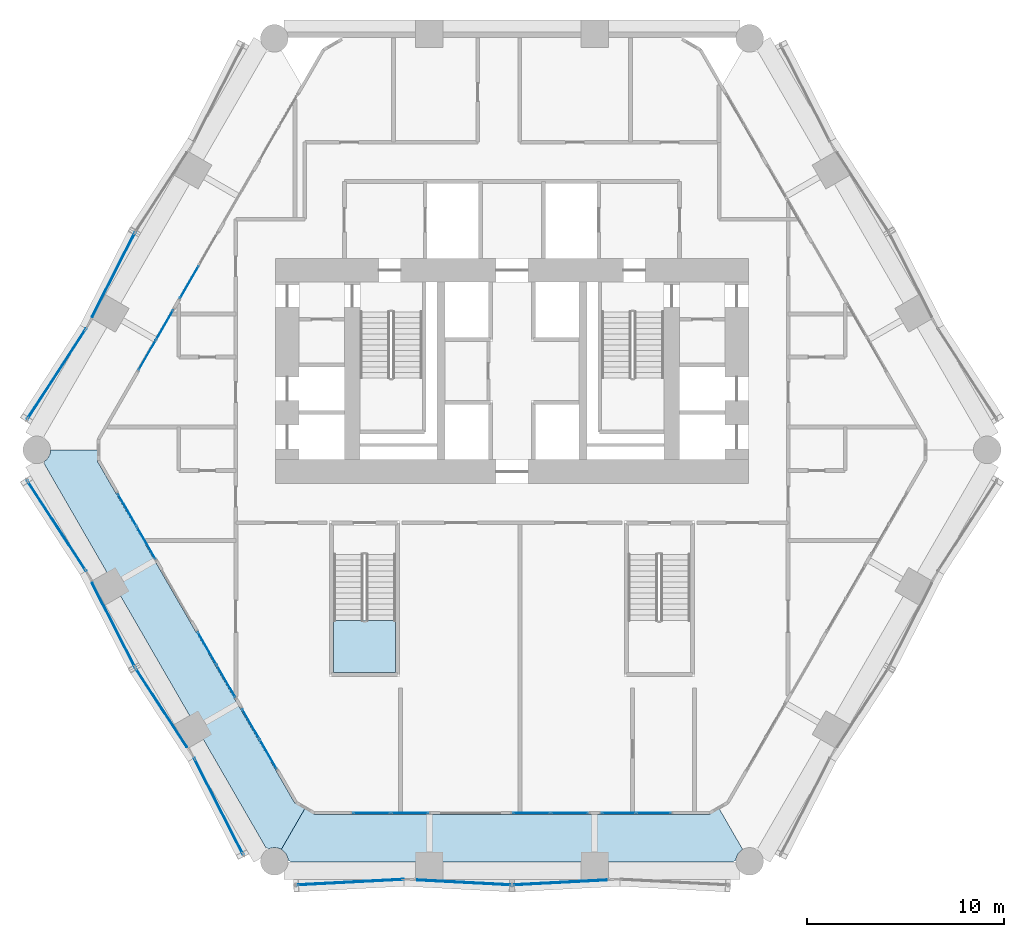
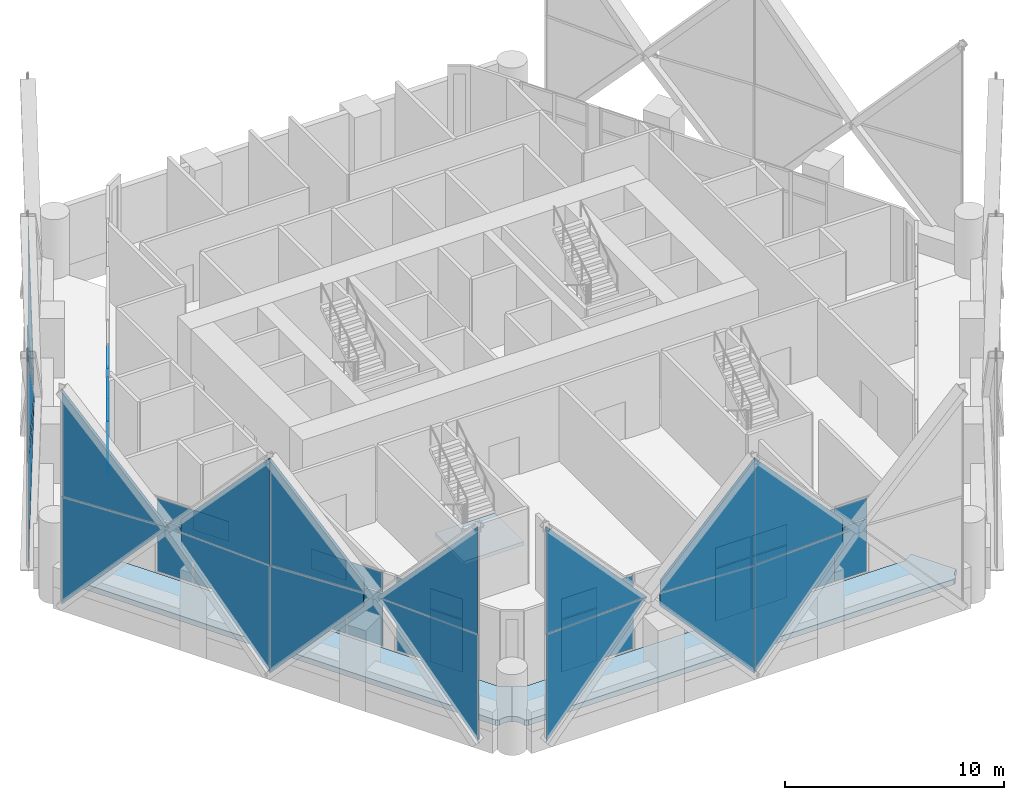
# One storey, part 34 of 46: 48 plates, 3 slabs, 21 elements without a shape of their own.
"""IFC4 building model written with IfcOpenShell, lengths in metres."""

from ifc_helpers import new_model, si_unit, direction, frame, origin, origin_2d, place, context, subcontext, project, spatial, polyline, rectangle, outline, extrude, material, layer, layer_set, type_object, element, aggregate, save


model = new_model("IFC4")

# Units and contexts
model_context = context("Model", 3, precision=1e-05, world=origin(), true_north=direction((0.0, 1.0)))
body_context = subcontext(model_context, "Body", "Model", "MODEL_VIEW")
ifc_project = project(units=[si_unit("LENGTHUNIT", "METRE"), si_unit("AREAUNIT", "SQUARE_METRE"), si_unit("VOLUMEUNIT", "CUBIC_METRE"), si_unit("PLANEANGLEUNIT", "RADIAN"), si_unit("MASSUNIT", "GRAM", prefix="KILO")], contexts=[model_context])

# Site, building, storey
site_placement = place(None, origin())
site = spatial("IfcSite", under=ifc_project, at=site_placement, CompositionType="ELEMENT")
building_placement = place(site_placement, origin())
building = spatial("IfcBuilding", under=site, at=building_placement, Name="Ostrander Bayou Hotel Tower", CompositionType="ELEMENT")
storey_placement = place(building_placement, frame((0.0, 0.0, 23.5)))
storey = spatial("IfcBuildingStorey", under=building, at=storey_placement, Name="L05", CompositionType="ELEMENT", Elevation=23.5)

# Curtain wall, plate
ifc_material_1 = material(Name="Aluminium and clear glass", Category="aluminium")
curtain_wall_type_1 = type_object("IfcCurtainWallType", Name="CW-LAT lattice glazing", PredefinedType="NOTDEFINED", material=ifc_material_1)
curtain_wall_1_placement = place(storey_placement, origin())
curtain_wall_1 = element("IfcCurtainWall", 1, at=curtain_wall_1_placement, inside=storey, type_object=curtain_wall_type_1, Name="CW-LAT L05 NW 3", PredefinedType="NOTDEFINED")
ifc_material_2 = material(Name="Clear laminated glass", Category="glass")
ifc_layer_1 = layer(ifc_material_2, 0.028076171875)
ifc_layer_set_1 = layer_set([ifc_layer_1], Name="CW-LA glazing panel 28 mm")
plate_type_1 = type_object("IfcPlateType", Name="CW-LA glazing panel 28 mm", PredefinedType="CURTAIN_PANEL", material=ifc_layer_set_1)
plate_1_placement = place(storey_placement, frame((-21.298583984375, 6.74609375, 4.667724609375), z_axis=(0.891003109581, -0.453997201222, 0.0), x_axis=(0.306245491879, 0.601029444289, -0.738225782401)))
plate_1 = element("IfcPlate", 2, at=plate_1_placement, type_object=plate_type_1, Name="CW-LAT panel 5", PredefinedType="CURTAIN_PANEL", context=body_context, shape_type="SweptSolid", body=[
    extrude(outline(polyline([(0.0, 0.0), (7.135787439574797, -8.881784197001252e-16), (2.7064327451707584, 4.047322200067707), (-0.5405124808153366, 0.4938931997885358), (0.0, 0.0)])), origin(), (0.0, 0.0, -1.0), 0.028076171875),
])
aggregate(curtain_wall_1, [plate_1])

curtain_wall_2_placement = place(storey_placement, origin())
curtain_wall_2 = element("IfcCurtainWall", 3, at=curtain_wall_2_placement, inside=storey, type_object=curtain_wall_type_1, Name="CW-LAT L05 NW 4", PredefinedType="NOTDEFINED")
plate_2_placement = place(storey_placement, frame((-21.298583984375, 6.74609375, 6.13232421875), z_axis=(-0.891003109581, 0.453997201222, 0.0), x_axis=(0.306253226935, 0.601044624909, 0.738210213869)))
plate_2 = element("IfcPlate", 4, at=plate_2_placement, type_object=plate_type_1, Name="CW-LAT panel 6", PredefinedType="CURTAIN_PANEL", context=body_context, shape_type="SweptSolid", body=[
    extrude(outline(polyline([(0.0, 0.0), (7.135607210571322, 4.440892098500626e-16), (2.706345927358191, 4.047424426104726), (-0.540681308985978, 0.49407036451473707), (0.0, 0.0)])), origin(), (0.0, 0.0, -1.0), 0.028076171875),
])
aggregate(curtain_wall_2, [plate_2])

curtain_wall_3_placement = place(storey_placement, origin())
curtain_wall_3 = element("IfcCurtainWall", 5, at=curtain_wall_3_placement, inside=storey, type_object=curtain_wall_type_1, Name="CW-LAT L05 NW 1", PredefinedType="NOTDEFINED")
plate_3_placement = place(storey_placement, frame((-21.602294921875, 6.14990234375, 5.39990234375), z_axis=(-0.838682608864, 0.544620493178, 0.0), x_axis=(-0.367389353797, -0.565757377056, -0.738202989037)))
plate_3 = element("IfcPlate", 6, at=plate_3_placement, type_object=plate_type_1, Name="CW-LAT panel 7", PredefinedType="CURTAIN_PANEL", context=body_context, shape_type="SweptSolid", body=[
    extrude(outline(polyline([(0.0, 0.0), (8.127845713309846, 0.0), (3.6986277790855517, 4.047471864157414), (0.0, 0.0)])), origin(), (0.0, 0.0, -1.0), 0.028076171875),
])
aggregate(curtain_wall_3, [plate_3])

curtain_wall_4_placement = place(storey_placement, origin())
curtain_wall_4 = element("IfcCurtainWall", 7, at=curtain_wall_4_placement, inside=storey, type_object=curtain_wall_type_1, Name="CW-LAT L05 NW 2", PredefinedType="NOTDEFINED")
plate_4_placement = place(storey_placement, frame((-21.602294921875, 6.14990234375, 5.39990234375), z_axis=(0.838682608864, -0.544620493178, 0.0), x_axis=(-0.367389353797, -0.565757377056, 0.738202989037)))
plate_4 = element("IfcPlate", 8, at=plate_4_placement, type_object=plate_type_1, Name="CW-LAT panel 8", PredefinedType="CURTAIN_PANEL", context=body_context, shape_type="SweptSolid", body=[
    extrude(outline(polyline([(0.0, 0.0), (8.127845713309846, 0.0), (3.6986277790855517, 4.047471864157414), (0.0, 0.0)])), origin(), (0.0, 0.0, -1.0), 0.028076171875),
])
aggregate(curtain_wall_4, [plate_4])

curtain_wall_5_placement = place(storey_placement, origin())
curtain_wall_5 = element("IfcCurtainWall", 9, at=curtain_wall_5_placement, inside=storey, type_object=curtain_wall_type_1, Name="CW-LAT L05 SW 3", PredefinedType="NOTDEFINED")
plate_5_placement = place(storey_placement, frame((-21.602294921875, -6.14990234375, 5.39990234375), z_axis=(0.838682608864, 0.544620493178, 0.0), x_axis=(-0.367389353797, 0.565757377056, -0.738202989037)))
plate_5 = element("IfcPlate", 10, at=plate_5_placement, type_object=plate_type_1, Name="CW-LAT panel 1", PredefinedType="CURTAIN_PANEL", context=body_context, shape_type="SweptSolid", body=[
    extrude(outline(polyline([(0.0, 0.0), (8.127845713309846, 0.0), (3.6986277790855517, 4.047471864157414), (0.0, 0.0)])), origin(), (0.0, 0.0, -1.0), 0.028076171875),
])

curtain_wall_6_placement = place(storey_placement, origin())
curtain_wall_6 = element("IfcCurtainWall", 11, at=curtain_wall_6_placement, inside=storey, type_object=curtain_wall_type_1, Name="CW-LAT L05 SW 4", PredefinedType="NOTDEFINED")
plate_6_placement = place(storey_placement, frame((-21.602294921875, -6.14990234375, 5.39990234375), z_axis=(-0.838682608864, -0.544620493178, 0.0), x_axis=(-0.367389353797, 0.565757377056, 0.738202989037)))
plate_6 = element("IfcPlate", 12, at=plate_6_placement, type_object=plate_type_1, Name="CW-LAT panel 2", PredefinedType="CURTAIN_PANEL", context=body_context, shape_type="SweptSolid", body=[
    extrude(outline(polyline([(0.0, 0.0), (8.127845713309846, 0.0), (3.6986277790855517, 4.047471864157414), (0.0, 0.0)])), origin(), (0.0, 0.0, -1.0), 0.028076171875),
])

curtain_wall_7_placement = place(storey_placement, origin())
curtain_wall_7 = element("IfcCurtainWall", 13, at=curtain_wall_7_placement, inside=storey, type_object=curtain_wall_type_1, Name="CW-LAT L05 SW 1", PredefinedType="NOTDEFINED")
plate_7_placement = place(storey_placement, frame((-21.298583984375, -6.74609375, 4.667724609375), z_axis=(-0.891003109581, -0.453997201222, 0.0), x_axis=(0.306245491879, -0.601029444289, -0.738225782401)))
plate_7 = element("IfcPlate", 14, at=plate_7_placement, type_object=plate_type_1, Name="CW-LAT panel 3", PredefinedType="CURTAIN_PANEL", context=body_context, shape_type="SweptSolid", body=[
    extrude(outline(polyline([(0.0, 0.0), (7.135787439574797, -8.881784197001252e-16), (2.7064327451707584, 4.047322200067707), (-0.5405124808153366, 0.4938931997885358), (0.0, 0.0)])), origin(), (0.0, 0.0, -1.0), 0.028076171875),
])

curtain_wall_8_placement = place(storey_placement, origin())
curtain_wall_8 = element("IfcCurtainWall", 15, at=curtain_wall_8_placement, inside=storey, type_object=curtain_wall_type_1, Name="CW-LAT L05 SW 2", PredefinedType="NOTDEFINED")
plate_8_placement = place(storey_placement, frame((-21.298583984375, -6.74609375, 6.13232421875), z_axis=(0.891003109581, 0.453997201222, 0.0), x_axis=(0.306253226935, -0.601044624909, 0.738210213869)))
plate_8 = element("IfcPlate", 16, at=plate_8_placement, type_object=plate_type_1, Name="CW-LAT panel 4", PredefinedType="CURTAIN_PANEL", context=body_context, shape_type="SweptSolid", body=[
    extrude(outline(polyline([(0.0, 0.0), (7.135607210571322, 4.440892098500626e-16), (2.706345927358191, 4.047424426104726), (-0.540681308985978, 0.49407036451473707), (0.0, 0.0)])), origin(), (0.0, 0.0, -1.0), 0.028076171875),
])

# Plate
plate_9_placement = place(storey_placement, frame((-16.4912109375, -15.072509765625, 4.668212890625), z_axis=(0.83866831588, 0.544642502875, 0.0), x_axis=(-0.367406343741, 0.56575103471, -0.738199394002)))
plate_9 = element("IfcPlate", 17, at=plate_9_placement, type_object=plate_type_1, Name="CW-LAT panel 5", PredefinedType="CURTAIN_PANEL", context=body_context, shape_type="SweptSolid", body=[
    extrude(outline(polyline([(0.0, 0.0), (7.1367039714257245, 4.440892098500626e-16), (2.7075076074163613, 4.047495468687549), (-0.5401327108942082, 0.49358495766831795), (0.0, 0.0)])), origin(), (0.0, 0.0, -1.0), 0.028076171875),
])

aggregate(curtain_wall_5, [plate_5, plate_9])

plate_10_placement = place(storey_placement, frame((-16.4912109375, -15.072509765625, 6.1318359375), z_axis=(-0.83866831588, -0.544642502875, 0.0), x_axis=(-0.367415622055, 0.565765321932, 0.738183826136)))
plate_10 = element("IfcPlate", 18, at=plate_10_placement, type_object=plate_type_1, Name="CW-LAT panel 6", PredefinedType="CURTAIN_PANEL", context=body_context, shape_type="SweptSolid", body=[
    extrude(outline(polyline([(0.0, 0.0), (7.136523748864649, 4.440892098500626e-16), (2.707420792046409, 4.04759768231774), (-0.5403015407121209, 0.4937621196121656), (0.0, 0.0)])), origin(), (0.0, 0.0, -1.0), 0.028076171875),
])

aggregate(curtain_wall_6, [plate_6, plate_10])

plate_11_placement = place(storey_placement, frame((-16.126953125, -15.63330078125, 5.39990234375), z_axis=(-0.891017407703, -0.453969139007, 0.0), x_axis=(0.306235162835, -0.60105596943, -0.738208471)))
plate_11 = element("IfcPlate", 19, at=plate_11_placement, type_object=plate_type_1, Name="CW-LAT panel 7", PredefinedType="CURTAIN_PANEL", context=body_context, shape_type="SweptSolid", body=[
    extrude(outline(polyline([(0.0, 0.0), (8.127785355637263, 0.0), (3.6985345296381307, 4.047435869829935), (0.0, 0.0)])), origin(), (0.0, 0.0, -1.0), 0.028076171875),
])

aggregate(curtain_wall_7, [plate_7, plate_11])

plate_12_placement = place(storey_placement, frame((-16.126953125, -15.63330078125, 5.39990234375), z_axis=(0.891017407703, 0.453969139007, 0.0), x_axis=(0.306235162835, -0.60105596943, 0.738208471)))
plate_12 = element("IfcPlate", 20, at=plate_12_placement, type_object=plate_type_1, Name="CW-LAT panel 8", PredefinedType="CURTAIN_PANEL", context=body_context, shape_type="SweptSolid", body=[
    extrude(outline(polyline([(0.0, 0.0), (8.127785355637263, 0.0), (3.6985345296381307, 4.047435869829935), (0.0, 0.0)])), origin(), (0.0, 0.0, -1.0), 0.028076171875),
])

aggregate(curtain_wall_8, [plate_8, plate_12])

# Curtain wall, plate
curtain_wall_9_placement = place(storey_placement, origin())
curtain_wall_9 = element("IfcCurtainWall", 21, at=curtain_wall_9_placement, inside=storey, type_object=curtain_wall_type_1, Name="CW-LAT L05 S 3", PredefinedType="NOTDEFINED")
plate_13_placement = place(storey_placement, frame((-5.475341796875, -21.783203125, 5.39990234375), z_axis=(-0.052320446705, 0.998630347454, 0.0), x_axis=(-0.673653383854, -0.03529418674, -0.738204198582)))
plate_13 = element("IfcPlate", 22, at=plate_13_placement, type_object=plate_type_1, Name="CW-LAT panel 1", PredefinedType="CURTAIN_PANEL", context=body_context, shape_type="SweptSolid", body=[
    extrude(outline(polyline([(0.0, 0.0), (8.127832395866648, 0.0), (3.69860720437432, 4.047463922390137), (0.0, 0.0)])), origin(), (0.0, 0.0, -1.0), 0.028076171875),
])

curtain_wall_10_placement = place(storey_placement, origin())
curtain_wall_10 = element("IfcCurtainWall", 23, at=curtain_wall_10_placement, inside=storey, type_object=curtain_wall_type_1, Name="CW-LAT L05 S 4", PredefinedType="NOTDEFINED")
plate_14_placement = place(storey_placement, frame((-5.475341796875, -21.783203125, 5.39990234375), z_axis=(0.052320446705, -0.998630347454, 0.0), x_axis=(-0.673653383854, -0.03529418674, 0.738204198582)))
plate_14 = element("IfcPlate", 24, at=plate_14_placement, type_object=plate_type_1, Name="CW-LAT panel 2", PredefinedType="CURTAIN_PANEL", context=body_context, shape_type="SweptSolid", body=[
    extrude(outline(polyline([(0.0, 0.0), (8.127832395866648, 0.0), (3.69860720437432, 4.047463922390137), (0.0, 0.0)])), origin(), (0.0, 0.0, -1.0), 0.028076171875),
])

curtain_wall_11_placement = place(storey_placement, origin())
curtain_wall_11 = element("IfcCurtainWall", 25, at=curtain_wall_11_placement, inside=storey, type_object=curtain_wall_type_1, Name="CW-LAT L05 S 1", PredefinedType="NOTDEFINED")
plate_15_placement = place(storey_placement, frame((-4.8076171875, -21.818115234375, 4.668212890625), z_axis=(-0.052335248737, -0.998629571833, 0.0), x_axis=(0.673651900972, -0.035304121562, -0.738205076735)))
plate_15 = element("IfcPlate", 26, at=plate_15_placement, type_object=plate_type_1, Name="CW-LAT panel 3", PredefinedType="CURTAIN_PANEL", context=body_context, shape_type="SweptSolid", body=[
    extrude(outline(polyline([(0.0, 0.0), (7.136649032778411, 4.440892098500626e-16), (2.707418572366689, 4.047458156492907), (-0.5401368688905409, 0.49358040751176924), (0.0, 0.0)])), origin(), (0.0, 0.0, -1.0), 0.028076171875),
])
aggregate(curtain_wall_11, [plate_15])

curtain_wall_12_placement = place(storey_placement, origin())
curtain_wall_12 = element("IfcCurtainWall", 27, at=curtain_wall_12_placement, inside=storey, type_object=curtain_wall_type_1, Name="CW-LAT L05 S 2", PredefinedType="NOTDEFINED")
plate_16_placement = place(storey_placement, frame((-4.8076171875, -21.818115234375, 6.131591796875), z_axis=(0.052335248737, 0.998629571833, 0.0), x_axis=(0.673651900972, -0.035304121562, 0.738205076735)))
plate_16 = element("IfcPlate", 28, at=plate_16_placement, type_object=plate_type_1, Name="CW-LAT panel 4", PredefinedType="CURTAIN_PANEL", context=body_context, shape_type="SweptSolid", body=[
    extrude(outline(polyline([(0.0, 0.0), (7.136649032778411, 4.440892098500626e-16), (2.707418572366689, 4.047458156492907), (-0.5401368688905409, 0.49358040751176924), (0.0, 0.0)])), origin(), (0.0, 0.0, -1.0), 0.028076171875),
])
aggregate(curtain_wall_12, [plate_16])

# Plate
plate_17_placement = place(storey_placement, frame((4.8076171875, -21.818115234375, 4.668212890625), z_axis=(-0.052335248737, 0.998629571833, 0.0), x_axis=(-0.673651900972, -0.035304121562, -0.738205076735)))
plate_17 = element("IfcPlate", 29, at=plate_17_placement, type_object=plate_type_1, Name="CW-LAT panel 5", PredefinedType="CURTAIN_PANEL", context=body_context, shape_type="SweptSolid", body=[
    extrude(outline(polyline([(0.0, 0.0), (7.136649032778411, 4.440892098500626e-16), (2.707418572366689, 4.047458156492907), (-0.5401368688905409, 0.49358040751176924), (0.0, 0.0)])), origin(), (0.0, 0.0, -1.0), 0.028076171875),
])

aggregate(curtain_wall_9, [plate_13, plate_17])

plate_18_placement = place(storey_placement, frame((4.8076171875, -21.818115234375, 6.131591796875), z_axis=(0.052335248737, -0.998629571833, 0.0), x_axis=(-0.673651900972, -0.035304121562, 0.738205076735)))
plate_18 = element("IfcPlate", 30, at=plate_18_placement, type_object=plate_type_1, Name="CW-LAT panel 6", PredefinedType="CURTAIN_PANEL", context=body_context, shape_type="SweptSolid", body=[
    extrude(outline(polyline([(0.0, 0.0), (7.136649032778411, 4.440892098500626e-16), (2.707418572366689, 4.047458156492907), (-0.5401368688905409, 0.49358040751176924), (0.0, 0.0)])), origin(), (0.0, 0.0, -1.0), 0.028076171875),
])

aggregate(curtain_wall_10, [plate_14, plate_18])

# Curtain wall, plates
ifc_material_3 = material(Name="Aluminium and clear glass", Category="aluminium")
curtain_wall_type_2 = type_object("IfcCurtainWallType", Name="CW-SKY amenity glass wall", PredefinedType="NOTDEFINED", material=ifc_material_3)
curtain_wall_13_placement = place(storey_placement, origin())
curtain_wall_13 = element("IfcCurtainWall", 31, at=curtain_wall_13_placement, inside=storey, type_object=curtain_wall_type_2, Name="CW-SKY L05 NW 3", PredefinedType="NOTDEFINED")
ifc_material_4 = material(Name="Clear laminated glass", Category="glass")
ifc_layer_2 = layer(ifc_material_4, 0.028076171875)
ifc_layer_set_2 = layer_set([ifc_layer_2], Name="CW-SK glazing panel 28 mm")
plate_type_2 = type_object("IfcPlateType", Name="CW-SK glazing panel 28 mm", PredefinedType="CURTAIN_PANEL", material=ifc_layer_set_2)
plate_19_placement = place(storey_placement, frame((-16.361572265625, 8.510986328125, 0.06005859375), z_axis=(0.0, 0.0, 1.0), x_axis=(-0.499999897278, -0.866025463091, 0.0)))
plate_19 = element("IfcPlate", 32, at=plate_19_placement, type_object=plate_type_2, Name="CW-SKY panel 2.1", PredefinedType="CURTAIN_PANEL", context=body_context, shape_type="SweptSolid", body=[
    extrude(rectangle(XDim=1.860107421875, YDim=0.028076171875, at=origin_2d()), origin(), (0.0, 0.0, 1.0), 2.909912109375),
])
plate_20_placement = place(storey_placement, frame((-16.361572265625, 8.510986328125, 3.02978515625), z_axis=(0.0, 0.0, 1.0), x_axis=(-0.499999897278, -0.866025463091, 0.0)))
plate_20 = element("IfcPlate", 33, at=plate_20_placement, type_object=plate_type_2, Name="CW-SKY panel 2.2", PredefinedType="CURTAIN_PANEL", context=body_context, shape_type="SweptSolid", body=[
    extrude(rectangle(XDim=1.860107421875, YDim=0.028076171875, at=origin_2d()), origin(), (0.0, 0.0, 1.0), 1.110107421875),
])
aggregate(curtain_wall_13, [plate_19, plate_20])

curtain_wall_14_placement = place(storey_placement, origin())
curtain_wall_14 = element("IfcCurtainWall", 34, at=curtain_wall_14_placement, inside=storey, type_object=curtain_wall_type_2, Name="CW-SKY L05 NW 4", PredefinedType="NOTDEFINED")
plate_21_placement = place(storey_placement, frame((-17.614013671875, 6.341552734375, 0.06005859375), z_axis=(0.0, 0.0, 1.0), x_axis=(-0.499998972029, -0.866025997283, 0.0)))
plate_21 = element("IfcPlate", 35, at=plate_21_placement, type_object=plate_type_2, Name="CW-SKY panel 1.1", PredefinedType="CURTAIN_PANEL", context=body_context, shape_type="SweptSolid", body=[
    extrude(rectangle(XDim=1.7099609375, YDim=0.028076171875, at=origin_2d()), origin(), (0.0, 0.0, 1.0), 2.909912109375),
])
plate_22_placement = place(storey_placement, frame((-17.614013671875, 6.341552734375, 3.02978515625), z_axis=(0.0, 0.0, 1.0), x_axis=(-0.499998972029, -0.866025997283, 0.0)))
plate_22 = element("IfcPlate", 36, at=plate_22_placement, type_object=plate_type_2, Name="CW-SKY panel 1.2", PredefinedType="CURTAIN_PANEL", context=body_context, shape_type="SweptSolid", body=[
    extrude(rectangle(XDim=1.7099609375, YDim=0.028076171875, at=origin_2d()), origin(), (0.0, 0.0, 1.0), 1.110107421875),
])
plate_23_placement = place(storey_placement, frame((-18.4990234375, 4.80859375, 0.06005859375), z_axis=(0.0, 0.0, 1.0), x_axis=(-0.499998972029, -0.866025997283, 0.0)))
plate_23 = element("IfcPlate", 37, at=plate_23_placement, type_object=plate_type_2, Name="CW-SKY panel 2.1", PredefinedType="CURTAIN_PANEL", context=body_context, shape_type="SweptSolid", body=[
    extrude(rectangle(XDim=1.7099609375, YDim=0.028076171875, at=origin_2d()), origin(), (0.0, 0.0, 1.0), 2.909912109375),
])
plate_24_placement = place(storey_placement, frame((-18.4990234375, 4.80859375, 3.02978515625), z_axis=(0.0, 0.0, 1.0), x_axis=(-0.499998972029, -0.866025997283, 0.0)))
plate_24 = element("IfcPlate", 38, at=plate_24_placement, type_object=plate_type_2, Name="CW-SKY panel 2.2", PredefinedType="CURTAIN_PANEL", context=body_context, shape_type="SweptSolid", body=[
    extrude(rectangle(XDim=1.7099609375, YDim=0.028076171875, at=origin_2d()), origin(), (0.0, 0.0, 1.0), 1.110107421875),
])
aggregate(curtain_wall_14, [plate_21, plate_22, plate_23, plate_24])

curtain_wall_15_placement = place(storey_placement, origin())
curtain_wall_15 = element("IfcCurtainWall", 39, at=curtain_wall_15_placement, inside=storey, type_object=curtain_wall_type_2, Name="CW-SKY L05 SW 1", PredefinedType="NOTDEFINED")
plate_25_placement = place(storey_placement, frame((-19.511474609375, -3.05517578125, 0.06005859375), z_axis=(0.0, 0.0, 1.0), x_axis=(0.499999897278, -0.866025463091, 0.0)))
plate_25 = element("IfcPlate", 40, at=plate_25_placement, type_object=plate_type_2, Name="CW-SKY panel 1.1", PredefinedType="CURTAIN_PANEL", context=body_context, shape_type="SweptSolid", body=[
    extrude(rectangle(XDim=1.860107421875, YDim=0.028076171875, at=origin_2d()), origin(), (0.0, 0.0, 1.0), 2.909912109375),
])
plate_26_placement = place(storey_placement, frame((-19.511474609375, -3.05517578125, 3.02978515625), z_axis=(0.0, 0.0, 1.0), x_axis=(0.499999897278, -0.866025463091, 0.0)))
plate_26 = element("IfcPlate", 41, at=plate_26_placement, type_object=plate_type_2, Name="CW-SKY panel 1.2", PredefinedType="CURTAIN_PANEL", context=body_context, shape_type="SweptSolid", body=[
    extrude(rectangle(XDim=1.860107421875, YDim=0.028076171875, at=origin_2d()), origin(), (0.0, 0.0, 1.0), 1.110107421875),
])
plate_27_placement = place(storey_placement, frame((-18.551513671875, -4.7177734375, 0.06005859375), z_axis=(0.0, 0.0, 1.0), x_axis=(0.499999897278, -0.866025463091, 0.0)))
plate_27 = element("IfcPlate", 42, at=plate_27_placement, type_object=plate_type_2, Name="CW-SKY panel 2.1", PredefinedType="CURTAIN_PANEL", context=body_context, shape_type="SweptSolid", body=[
    extrude(rectangle(XDim=1.860107421875, YDim=0.028076171875, at=origin_2d()), origin(), (0.0, 0.0, 1.0), 2.909912109375),
])
plate_28_placement = place(storey_placement, frame((-18.551513671875, -4.7177734375, 3.02978515625), z_axis=(0.0, 0.0, 1.0), x_axis=(0.499999897278, -0.866025463091, 0.0)))
plate_28 = element("IfcPlate", 43, at=plate_28_placement, type_object=plate_type_2, Name="CW-SKY panel 2.2", PredefinedType="CURTAIN_PANEL", context=body_context, shape_type="SweptSolid", body=[
    extrude(rectangle(XDim=1.860107421875, YDim=0.028076171875, at=origin_2d()), origin(), (0.0, 0.0, 1.0), 1.110107421875),
])
aggregate(curtain_wall_15, [plate_25, plate_26, plate_27, plate_28])

curtain_wall_16_placement = place(storey_placement, origin())
curtain_wall_16 = element("IfcCurtainWall", 44, at=curtain_wall_16_placement, inside=storey, type_object=curtain_wall_type_2, Name="CW-SKY L05 SW 3", PredefinedType="NOTDEFINED")
plate_29_placement = place(storey_placement, frame((-15.46142578125, -10.06982421875, 0.06005859375), z_axis=(0.0, 0.0, 1.0), x_axis=(0.499999897278, -0.866025463091, 0.0)))
plate_29 = element("IfcPlate", 45, at=plate_29_placement, type_object=plate_type_2, Name="CW-SKY panel 1.1", PredefinedType="CURTAIN_PANEL", context=body_context, shape_type="SweptSolid", body=[
    extrude(rectangle(XDim=1.860107421875, YDim=0.028076171875, at=origin_2d()), origin(), (0.0, 0.0, 1.0), 2.909912109375),
])
plate_30_placement = place(storey_placement, frame((-15.46142578125, -10.06982421875, 3.02978515625), z_axis=(0.0, 0.0, 1.0), x_axis=(0.499999897278, -0.866025463091, 0.0)))
plate_30 = element("IfcPlate", 46, at=plate_30_placement, type_object=plate_type_2, Name="CW-SKY panel 1.2", PredefinedType="CURTAIN_PANEL", context=body_context, shape_type="SweptSolid", body=[
    extrude(rectangle(XDim=1.860107421875, YDim=0.028076171875, at=origin_2d()), origin(), (0.0, 0.0, 1.0), 1.110107421875),
])
plate_31_placement = place(storey_placement, frame((-14.50146484375, -11.732666015625, 0.06005859375), z_axis=(0.0, 0.0, 1.0), x_axis=(0.499999897278, -0.866025463091, 0.0)))
plate_31 = element("IfcPlate", 47, at=plate_31_placement, type_object=plate_type_2, Name="CW-SKY panel 2.1", PredefinedType="CURTAIN_PANEL", context=body_context, shape_type="SweptSolid", body=[
    extrude(rectangle(XDim=1.860107421875, YDim=0.028076171875, at=origin_2d()), origin(), (0.0, 0.0, 1.0), 2.909912109375),
])
plate_32_placement = place(storey_placement, frame((-14.50146484375, -11.732666015625, 3.02978515625), z_axis=(0.0, 0.0, 1.0), x_axis=(0.499999897278, -0.866025463091, 0.0)))
plate_32 = element("IfcPlate", 48, at=plate_32_placement, type_object=plate_type_2, Name="CW-SKY panel 2.2", PredefinedType="CURTAIN_PANEL", context=body_context, shape_type="SweptSolid", body=[
    extrude(rectangle(XDim=1.860107421875, YDim=0.028076171875, at=origin_2d()), origin(), (0.0, 0.0, 1.0), 1.110107421875),
])
aggregate(curtain_wall_16, [plate_29, plate_30, plate_31, plate_32])

curtain_wall_17_placement = place(storey_placement, origin())
curtain_wall_17 = element("IfcCurtainWall", 49, at=curtain_wall_17_placement, inside=storey, type_object=curtain_wall_type_2, Name="CW-SKY L05 SW 4", PredefinedType="NOTDEFINED")
plate_33_placement = place(storey_placement, frame((-13.2490234375, -13.902099609375, 0.06005859375), z_axis=(0.0, 0.0, 1.0), x_axis=(0.499998972029, -0.866025997283, 0.0)))
plate_33 = element("IfcPlate", 50, at=plate_33_placement, type_object=plate_type_2, Name="CW-SKY panel 1.1", PredefinedType="CURTAIN_PANEL", context=body_context, shape_type="SweptSolid", body=[
    extrude(rectangle(XDim=1.7099609375, YDim=0.028076171875, at=origin_2d()), origin(), (0.0, 0.0, 1.0), 2.909912109375),
])
plate_34_placement = place(storey_placement, frame((-13.2490234375, -13.902099609375, 3.02978515625), z_axis=(0.0, 0.0, 1.0), x_axis=(0.499998972029, -0.866025997283, 0.0)))
plate_34 = element("IfcPlate", 51, at=plate_34_placement, type_object=plate_type_2, Name="CW-SKY panel 1.2", PredefinedType="CURTAIN_PANEL", context=body_context, shape_type="SweptSolid", body=[
    extrude(rectangle(XDim=1.7099609375, YDim=0.028076171875, at=origin_2d()), origin(), (0.0, 0.0, 1.0), 1.110107421875),
])
plate_35_placement = place(storey_placement, frame((-12.364013671875, -15.434814453125, 0.06005859375), z_axis=(0.0, 0.0, 1.0), x_axis=(0.499998972029, -0.866025997283, 0.0)))
plate_35 = element("IfcPlate", 52, at=plate_35_placement, type_object=plate_type_2, Name="CW-SKY panel 2.1", PredefinedType="CURTAIN_PANEL", context=body_context, shape_type="SweptSolid", body=[
    extrude(rectangle(XDim=1.7099609375, YDim=0.028076171875, at=origin_2d()), origin(), (0.0, 0.0, 1.0), 2.909912109375),
])
plate_36_placement = place(storey_placement, frame((-12.364013671875, -15.434814453125, 3.02978515625), z_axis=(0.0, 0.0, 1.0), x_axis=(0.499998972029, -0.866025997283, 0.0)))
plate_36 = element("IfcPlate", 53, at=plate_36_placement, type_object=plate_type_2, Name="CW-SKY panel 2.2", PredefinedType="CURTAIN_PANEL", context=body_context, shape_type="SweptSolid", body=[
    extrude(rectangle(XDim=1.7099609375, YDim=0.028076171875, at=origin_2d()), origin(), (0.0, 0.0, 1.0), 1.110107421875),
])
aggregate(curtain_wall_17, [plate_33, plate_34, plate_35, plate_36])

curtain_wall_18_placement = place(storey_placement, origin())
curtain_wall_18 = element("IfcCurtainWall", 54, at=curtain_wall_18_placement, inside=storey, type_object=curtain_wall_type_2, Name="CW-SKY L05 S 1", PredefinedType="NOTDEFINED")
plate_37_placement = place(storey_placement, frame((-7.110107421875, -18.425048828125, 0.06005859375), z_axis=(0.0, 0.0, 1.0), x_axis=(1.0, 0.0, 0.0)))
plate_37 = element("IfcPlate", 55, at=plate_37_placement, type_object=plate_type_2, Name="CW-SKY panel 1.1", PredefinedType="CURTAIN_PANEL", context=body_context, shape_type="SweptSolid", body=[
    extrude(rectangle(XDim=1.860107421875, YDim=0.028076171875, at=origin_2d()), origin(), (0.0, 0.0, 1.0), 2.909912109375),
])
plate_38_placement = place(storey_placement, frame((-7.110107421875, -18.425048828125, 3.02978515625), z_axis=(0.0, 0.0, 1.0), x_axis=(1.0, 0.0, 0.0)))
plate_38 = element("IfcPlate", 56, at=plate_38_placement, type_object=plate_type_2, Name="CW-SKY panel 1.2", PredefinedType="CURTAIN_PANEL", context=body_context, shape_type="SweptSolid", body=[
    extrude(rectangle(XDim=1.860107421875, YDim=0.028076171875, at=origin_2d()), origin(), (0.0, 0.0, 1.0), 1.110107421875),
])
plate_39_placement = place(storey_placement, frame((-5.18994140625, -18.425048828125, 0.06005859375), z_axis=(0.0, 0.0, 1.0), x_axis=(1.0, 0.0, 0.0)))
plate_39 = element("IfcPlate", 57, at=plate_39_placement, type_object=plate_type_2, Name="CW-SKY panel 2.1", PredefinedType="CURTAIN_PANEL", context=body_context, shape_type="SweptSolid", body=[
    extrude(rectangle(XDim=1.860107421875, YDim=0.028076171875, at=origin_2d()), origin(), (0.0, 0.0, 1.0), 2.909912109375),
])
plate_40_placement = place(storey_placement, frame((-5.18994140625, -18.425048828125, 3.02978515625), z_axis=(0.0, 0.0, 1.0), x_axis=(1.0, 0.0, 0.0)))
plate_40 = element("IfcPlate", 58, at=plate_40_placement, type_object=plate_type_2, Name="CW-SKY panel 2.2", PredefinedType="CURTAIN_PANEL", context=body_context, shape_type="SweptSolid", body=[
    extrude(rectangle(XDim=1.860107421875, YDim=0.028076171875, at=origin_2d()), origin(), (0.0, 0.0, 1.0), 1.110107421875),
])
aggregate(curtain_wall_18, [plate_37, plate_38, plate_39, plate_40])

curtain_wall_19_placement = place(storey_placement, origin())
curtain_wall_19 = element("IfcCurtainWall", 59, at=curtain_wall_19_placement, inside=storey, type_object=curtain_wall_type_2, Name="CW-SKY L05 S 3", PredefinedType="NOTDEFINED")
plate_41_placement = place(storey_placement, frame((0.989990234375, -18.425048828125, 0.06005859375), z_axis=(0.0, 0.0, 1.0), x_axis=(1.0, 0.0, 0.0)))
plate_41 = element("IfcPlate", 60, at=plate_41_placement, type_object=plate_type_2, Name="CW-SKY panel 1.1", PredefinedType="CURTAIN_PANEL", context=body_context, shape_type="SweptSolid", body=[
    extrude(rectangle(XDim=1.860107421875, YDim=0.028076171875, at=origin_2d()), origin(), (0.0, 0.0, 1.0), 2.909912109375),
])
plate_42_placement = place(storey_placement, frame((0.989990234375, -18.425048828125, 3.02978515625), z_axis=(0.0, 0.0, 1.0), x_axis=(1.0, 0.0, 0.0)))
plate_42 = element("IfcPlate", 61, at=plate_42_placement, type_object=plate_type_2, Name="CW-SKY panel 1.2", PredefinedType="CURTAIN_PANEL", context=body_context, shape_type="SweptSolid", body=[
    extrude(rectangle(XDim=1.860107421875, YDim=0.028076171875, at=origin_2d()), origin(), (0.0, 0.0, 1.0), 1.110107421875),
])
plate_43_placement = place(storey_placement, frame((2.909912109375, -18.425048828125, 0.06005859375), z_axis=(0.0, 0.0, 1.0), x_axis=(1.0, 0.0, 0.0)))
plate_43 = element("IfcPlate", 62, at=plate_43_placement, type_object=plate_type_2, Name="CW-SKY panel 2.1", PredefinedType="CURTAIN_PANEL", context=body_context, shape_type="SweptSolid", body=[
    extrude(rectangle(XDim=1.860107421875, YDim=0.028076171875, at=origin_2d()), origin(), (0.0, 0.0, 1.0), 2.909912109375),
])
plate_44_placement = place(storey_placement, frame((2.909912109375, -18.425048828125, 3.02978515625), z_axis=(0.0, 0.0, 1.0), x_axis=(1.0, 0.0, 0.0)))
plate_44 = element("IfcPlate", 63, at=plate_44_placement, type_object=plate_type_2, Name="CW-SKY panel 2.2", PredefinedType="CURTAIN_PANEL", context=body_context, shape_type="SweptSolid", body=[
    extrude(rectangle(XDim=1.860107421875, YDim=0.028076171875, at=origin_2d()), origin(), (0.0, 0.0, 1.0), 1.110107421875),
])
aggregate(curtain_wall_19, [plate_41, plate_42, plate_43, plate_44])

curtain_wall_20_placement = place(storey_placement, origin())
curtain_wall_20 = element("IfcCurtainWall", 64, at=curtain_wall_20_placement, inside=storey, type_object=curtain_wall_type_2, Name="CW-SKY L05 S 4", PredefinedType="NOTDEFINED")
plate_45_placement = place(storey_placement, frame((5.4150390625, -18.425048828125, 0.06005859375), z_axis=(0.0, 0.0, 1.0), x_axis=(1.0, 0.0, 0.0)))
plate_45 = element("IfcPlate", 65, at=plate_45_placement, type_object=plate_type_2, Name="CW-SKY panel 1.1", PredefinedType="CURTAIN_PANEL", context=body_context, shape_type="SweptSolid", body=[
    extrude(rectangle(XDim=1.7099609375, YDim=0.028076171875, at=origin_2d()), origin(), (0.0, 0.0, 1.0), 2.909912109375),
])
plate_46_placement = place(storey_placement, frame((5.4150390625, -18.425048828125, 3.02978515625), z_axis=(0.0, 0.0, 1.0), x_axis=(1.0, 0.0, 0.0)))
plate_46 = element("IfcPlate", 66, at=plate_46_placement, type_object=plate_type_2, Name="CW-SKY panel 1.2", PredefinedType="CURTAIN_PANEL", context=body_context, shape_type="SweptSolid", body=[
    extrude(rectangle(XDim=1.7099609375, YDim=0.028076171875, at=origin_2d()), origin(), (0.0, 0.0, 1.0), 1.110107421875),
])
plate_47_placement = place(storey_placement, frame((7.18505859375, -18.425048828125, 0.06005859375), z_axis=(0.0, 0.0, 1.0), x_axis=(1.0, 0.0, 0.0)))
plate_47 = element("IfcPlate", 67, at=plate_47_placement, type_object=plate_type_2, Name="CW-SKY panel 2.1", PredefinedType="CURTAIN_PANEL", context=body_context, shape_type="SweptSolid", body=[
    extrude(rectangle(XDim=1.7099609375, YDim=0.028076171875, at=origin_2d()), origin(), (0.0, 0.0, 1.0), 2.909912109375),
])
plate_48_placement = place(storey_placement, frame((7.18505859375, -18.425048828125, 3.02978515625), z_axis=(0.0, 0.0, 1.0), x_axis=(1.0, 0.0, 0.0)))
plate_48 = element("IfcPlate", 68, at=plate_48_placement, type_object=plate_type_2, Name="CW-SKY panel 2.2", PredefinedType="CURTAIN_PANEL", context=body_context, shape_type="SweptSolid", body=[
    extrude(rectangle(XDim=1.7099609375, YDim=0.028076171875, at=origin_2d()), origin(), (0.0, 0.0, 1.0), 1.110107421875),
])
aggregate(curtain_wall_20, [plate_45, plate_46, plate_47, plate_48])

# Slabs
ifc_material_5 = material(Name="Concrete f'c 40 MPa", Category="concrete")
ifc_layer_3 = layer(ifc_material_5, 0.300048828125)
ifc_layer_set_3 = layer_set([ifc_layer_3], Name="SL4 loggia slab 300 mm f'c 40 MPa")
slab_type_1 = type_object("IfcSlabType", Name="SL4 loggia slab 300 mm f'c 40 MPa", PredefinedType="FLOOR", material=ifc_layer_set_3)
slab_1_placement = place(storey_placement, frame((0.0, 0.0, -0.300048828125)))
element("IfcSlab", 69, at=slab_1_placement, inside=storey, type_object=slab_type_1, Name="SL4 LOGGIA L05 SW 1", PredefinedType="FLOOR", context=body_context, shape_type="SweptSolid", body=[
    extrude(outline(polyline([(-10.5078125, -18.199951171875), (-11.7021484375, -20.2685546875), (-11.78271484375, -20.2255859375), (-11.9140625, -20.185791015625), (-12.050537109375, -20.172119140625), (-12.187255859375, -20.185791015625), (-12.318603515625, -20.2255859375), (-12.344482421875, -20.239501953125), (-12.49951171875, -20.14990234375), (-15.667236328125, -14.66357421875), (-16.337158203125, -13.503173828125), (-19.862548828125, -7.39697265625), (-20.53271484375, -6.236328125), (-23.505126953125, -1.087890625), (-23.7001953125, -0.75), (-23.7001953125, -0.572021484375), (-23.606201171875, -0.4951171875), (-23.519287109375, -0.388916015625), (-23.45458984375, -0.267822265625), (-23.41455078125, -0.13671875), (-23.401123046875, 0.0), (-21.015380859375, 0.0), (-21.015380859375, -0.60009765625), (-11.02734375, -17.89990234375), (-10.5078125, -18.199951171875)])), origin(), (0.0, 0.0, 1.0), 0.300048828125),
])
slab_2_placement = place(storey_placement, frame((0.0, 0.0, -0.300048828125)))
element("IfcSlab", 70, at=slab_2_placement, inside=storey, type_object=slab_type_1, Name="SL4 LOGGIA L05 S 1", PredefinedType="FLOOR", context=body_context, shape_type="SweptSolid", body=[
    extrude(outline(polyline([(10.5078125, -18.199951171875), (11.7021484375, -20.2685546875), (11.66162109375, -20.290283203125), (11.5556640625, -20.377197265625), (11.468505859375, -20.4833984375), (11.40380859375, -20.6044921875), (11.364013671875, -20.735595703125), (11.356689453125, -20.809814453125), (11.20068359375, -20.89990234375), (4.865478515625, -20.89990234375), (3.525390625, -20.89990234375), (-3.525390625, -20.89990234375), (-4.865478515625, -20.89990234375), (-11.20068359375, -20.89990234375), (-11.356689453125, -20.809814453125), (-11.364013671875, -20.735595703125), (-11.40380859375, -20.6044921875), (-11.468505859375, -20.4833984375), (-11.5556640625, -20.377197265625), (-11.66162109375, -20.290283203125), (-11.7021484375, -20.2685546875), (-10.5078125, -18.199951171875), (-9.98828125, -18.5), (9.98828125, -18.5), (10.5078125, -18.199951171875)])), origin(), (0.0, 0.0, 1.0), 0.300048828125),
])

# Stair, slab
ifc_material_6 = material(Name="Concrete f'c 45 MPa", Category="concrete")
stair_type = type_object("IfcStairType", Name="ST1 exit stair 1500 mm f'c 45 MPa", PredefinedType="HALF_TURN_STAIR", material=ifc_material_6)
stair_placement = place(storey_placement, origin())
stair = element("IfcStair", 71, at=stair_placement, inside=storey, type_object=stair_type, Name="L05 exit stair D", PredefinedType="HALF_TURN_STAIR")
ifc_material_7 = material(Name="Concrete f'c 45 MPa", Category="concrete")
ifc_layer_4 = layer(ifc_material_7, 0.199951171875)
ifc_layer_set_4 = layer_set([ifc_layer_4], Name="SL8 stair landing 200 mm f'c 45 MPa")
slab_type_2 = type_object("IfcSlabType", Name="SL8 stair landing 200 mm f'c 45 MPa", PredefinedType="LANDING", material=ifc_layer_set_4)
slab_3_placement = place(storey_placement, frame((0.0, 0.0, 2.050048828125)))
slab_3 = element("IfcSlab", 72, at=slab_3_placement, type_object=slab_type_2, Name="STD landing 1", PredefinedType="LANDING", context=body_context, shape_type="SweptSolid", body=[
    extrude(outline(polyline([(-9.050048828125, -8.659912109375), (-9.050048828125, -11.300048828125), (-5.89990234375, -11.300048828125), (-5.89990234375, -8.659912109375), (-9.050048828125, -8.659912109375)])), origin(), (0.0, 0.0, 1.0), 0.199951171875),
])
aggregate(stair, [slab_3])

save(model, "model.ifc")
